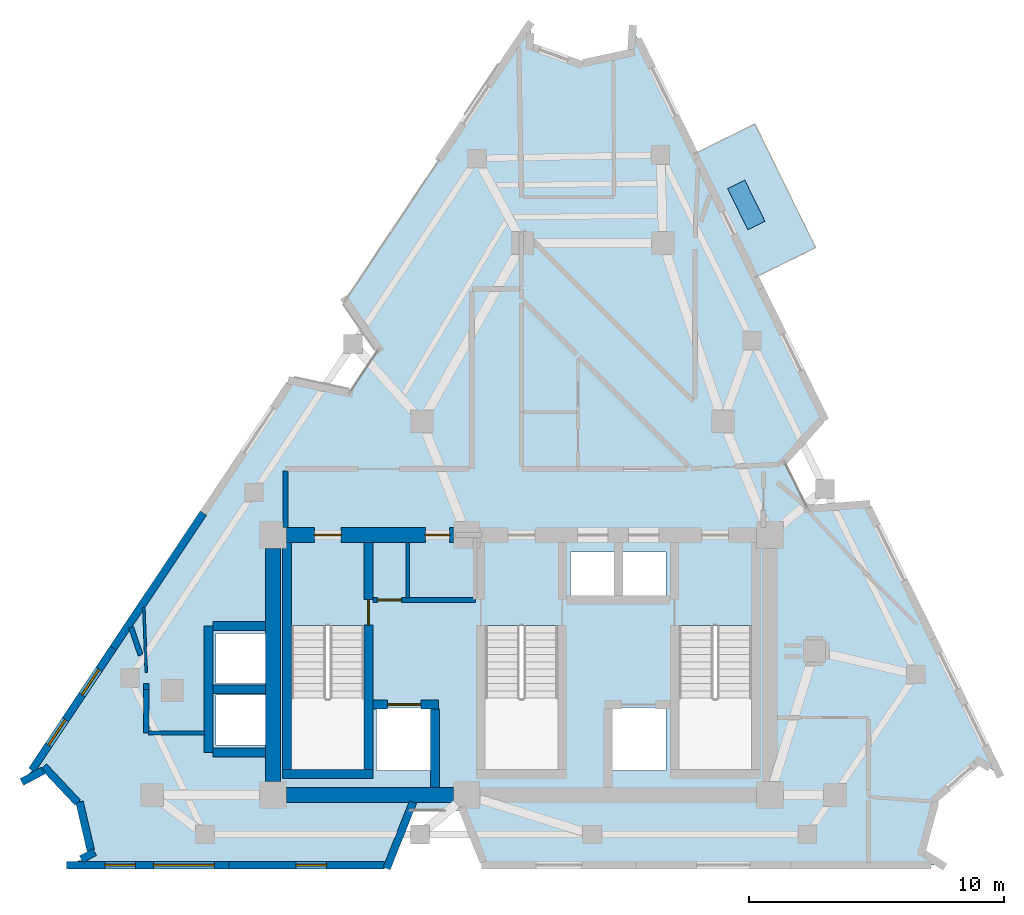
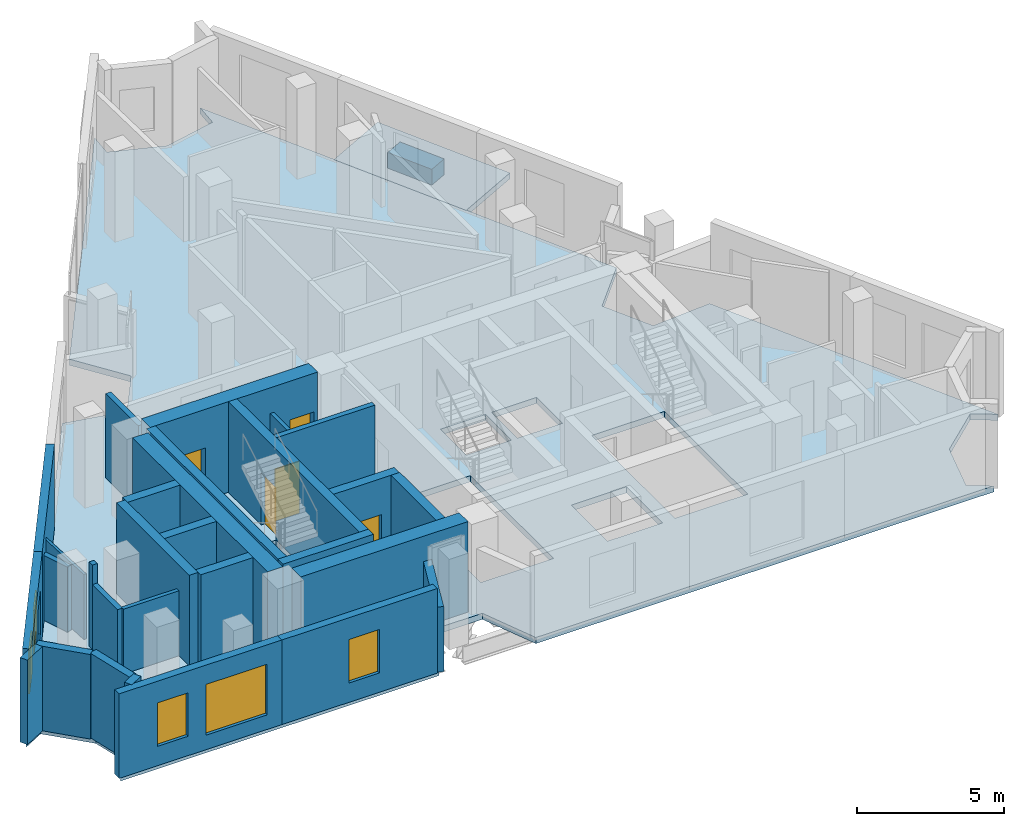
# One storey, part 4 of 8: 29 walls, 5 doors, 5 windows, 2 slabs, 1 plate, 10 openings.
"""IFC4 building model written with IfcOpenShell, lengths in metres."""

from ifc_helpers import new_model, si_unit, direction, frame, frame_2d, origin, origin_2d, place, context, subcontext, project, spatial, polyline, rectangle, outline, extrude, material, layer, layer_set, type_object, element, fill, save


model = new_model("IFC4")

# Units and contexts
model_context = context("Model", 3, precision=1e-05, world=origin(), true_north=direction((0.0, 1.0)))
body_context = subcontext(model_context, "Body", "Model", "MODEL_VIEW")
ifc_project = project(units=[si_unit("LENGTHUNIT", "METRE"), si_unit("AREAUNIT", "SQUARE_METRE"), si_unit("VOLUMEUNIT", "CUBIC_METRE"), si_unit("PLANEANGLEUNIT", "RADIAN"), si_unit("MASSUNIT", "GRAM", prefix="KILO")], contexts=[model_context])

# Site, building, storey
site_placement = place(None, origin())
site = spatial("IfcSite", under=ifc_project, at=site_placement, CompositionType="ELEMENT")
building_placement = place(site_placement, origin())
building = spatial("IfcBuilding", under=site, at=building_placement, Name="Almagre Mirador Tower", CompositionType="ELEMENT")
storey_placement = place(building_placement, frame((0.0, 0.0, 274.5)))
storey = spatial("IfcBuildingStorey", under=building, at=storey_placement, Name="L71", CompositionType="ELEMENT", Elevation=274.5)

# Plate
ifc_material_1 = material(Name="Precast concrete C50/60", Category="concrete")
ifc_layer_1 = layer(ifc_material_1, 0.64990234375)
ifc_layer_set_1 = layer_set([ifc_layer_1], Name="Precast concrete C50/60")
plate_type = type_object("IfcPlateType", Name="PLT-PLANTER-1800", PredefinedType="USERDEFINED", material=ifc_layer_set_1)
plate_placement = place(storey_placement, frame((46.1220703125, 27.698974609375, 0.0), z_axis=(0.0, 0.0, 1.0), x_axis=(-0.441286598035, 0.897366223119, 0.0)))
element("IfcPlate", 1, at=plate_placement, inside=storey, type_object=plate_type, Name="L71 east balcony structural tree planter 1", ObjectType="PLANTER", PredefinedType="USERDEFINED", context=body_context, shape_type="SweptSolid", body=[
    extrude(rectangle(XDim=1.800048828125, YDim=0.75, at=origin_2d()), origin(), (0.0, 0.0, 1.0), 0.64990234375),
])

# Slabs
ifc_material_2 = material(Name="Concrete C45/55", Category="concrete")
ifc_layer_2 = layer(ifc_material_2, 0.239990234375)
ifc_layer_set_2 = layer_set([ifc_layer_2], Name="Concrete C45/55")
slab_type_1 = type_object("IfcSlabType", Name="SLB-BAL-240", PredefinedType="USERDEFINED", material=ifc_layer_set_2)
slab_1_placement = place(storey_placement, frame((0.0, 0.0, -0.239990234375)))
element("IfcSlab", 2, at=slab_1_placement, inside=storey, type_object=slab_type_1, Name="L71 east planted tree balcony 1", ObjectType="BALCONY", PredefinedType="USERDEFINED", context=body_context, shape_type="SweptSolid", body=[
    extrude(outline(polyline([(46.443115234375, 24.847900390625), (44.06103515625, 29.694091796875), (46.45703125, 30.8720703125), (48.839111328125, 26.027099609375), (46.443115234375, 24.847900390625)])), origin(), (0.0, 0.0, 1.0), 0.239990234375),
])
ifc_material_3 = material(Name="Concrete C45/55", Category="concrete")
ifc_layer_3 = layer(ifc_material_3, 0.25)
ifc_layer_set_3 = layer_set([ifc_layer_3], Name="Concrete C45/55")
slab_type_2 = type_object("IfcSlabType", Name="SLB-FLR-250", PredefinedType="FLOOR", material=ifc_layer_set_3)
slab_2_placement = place(storey_placement, frame((0.0, 0.0, -0.25)))
element("IfcSlab", 3, at=slab_2_placement, inside=storey, type_object=slab_type_2, Name="L71 structural floor slab", PredefinedType="FLOOR", context=body_context, shape_type="SweptSolid", body=[
    extrude(outline(polyline([(17.821044921875, 5.126953125), (18.654052734375, 5.572021484375), (19.990966796875, 4.14794921875), (20.43310546875, 2.24609375), (19.60009765625, 1.800048828125), (32.06396484375, 1.800048828125), (32.9189453125, 3.949951171875), (35.009033203125, 3.949951171875), (35.864013671875, 1.800048828125), (53.800048828125, 1.800048828125), (52.998046875, 2.299072265625), (53.572021484375, 4.431884765625), (55.23291015625, 5.888916015625), (56.034912109375, 5.388916015625), (50.837890625, 15.95703125), (48.531005859375, 15.77587890625), (47.60888671875, 17.65087890625), (49.160888671875, 19.366943359375), (41.6650390625, 34.611083984375), (41.60302734375, 33.66796875), (39.572998046875, 33.23095703125), (37.616943359375, 33.929931640625), (37.678955078125, 34.873046875), (30.39404296875, 23.9599609375), (31.70703125, 22.054931640625), (30.547119140625, 20.31689453125), (28.283935546875, 20.799072265625), (17.821044921875, 5.126953125)]), holes=[polyline([(43.47509765625, 5.550048828125), (43.47509765625, 11.196044921875), (46.324951171875, 11.196044921875), (46.324951171875, 5.550048828125), (43.47509765625, 5.550048828125)]), polyline([(41.219970703125, 12.320068359375), (41.219970703125, 14.080078125), (42.97998046875, 14.080078125), (42.97998046875, 12.320068359375), (41.219970703125, 12.320068359375)]), polyline([(42.97998046875, 5.52001953125), (40.820068359375, 5.52001953125), (40.820068359375, 7.97998046875), (42.97998046875, 7.97998046875), (42.97998046875, 5.52001953125)]), polyline([(39.219970703125, 12.320068359375), (39.219970703125, 14.080078125), (40.97998046875, 14.080078125), (40.97998046875, 12.320068359375), (39.219970703125, 12.320068359375)]), polyline([(35.875, 5.550048828125), (35.875, 11.196044921875), (38.72509765625, 11.196044921875), (38.72509765625, 5.550048828125), (35.875, 5.550048828125)]), polyline([(33.780029296875, 5.52001953125), (31.6201171875, 5.52001953125), (31.6201171875, 7.97998046875), (33.780029296875, 7.97998046875), (33.780029296875, 5.52001953125)]), polyline([(28.27490234375, 5.550048828125), (28.27490234375, 11.196044921875), (31.125, 11.196044921875), (31.125, 5.550048828125), (28.27490234375, 5.550048828125)]), polyline([(27.3798828125, 6.52001953125), (25.320068359375, 6.52001953125), (25.320068359375, 8.47998046875), (27.3798828125, 8.47998046875), (27.3798828125, 6.52001953125)]), polyline([(27.3798828125, 8.919921875), (25.320068359375, 8.919921875), (25.320068359375, 10.8798828125), (27.3798828125, 10.8798828125), (27.3798828125, 8.919921875)])]), origin(), (0.0, 0.0, 1.0), 0.25),
])

# Wall
ifc_material_4 = material(Name="Precast concrete C50/60", Category="concrete")
ifc_layer_4 = layer(ifc_material_4, 0.300048828125)
ifc_layer_set_4 = layer_set([ifc_layer_4], Name="Precast concrete C50/60")
wall_type_1 = type_object("IfcWallType", Name="WAL-EXT-300", PredefinedType="SOLIDWALL", material=ifc_layer_set_4)
wall_1_placement = place(storey_placement, frame((33.047607421875, 4.2734375, 0.0), z_axis=(0.0, 0.0, 1.0), x_axis=(-0.369542065233, -0.929214002275, 0.0)))
element("IfcWall", 4, at=wall_1_placement, inside=storey, type_object=wall_type_1, Name="L71 expressed almagre precast frame wall 23", PredefinedType="SOLIDWALL", context=body_context, shape_type="SweptSolid", body=[
    extrude(rectangle(XDim=2.8017578125, YDim=0.300048828125, at=frame_2d((1.40087890625, 0.0))), origin(), (0.0, 0.0, 1.0), 2.696044921875),
])

# Wall, opening, window
wall_2_placement = place(storey_placement, frame((31.924072265625, 1.800048828125, 0.0), z_axis=(0.0, 0.0, 1.0), x_axis=(-1.0, 0.0, 0.0)))
wall_2 = element("IfcWall", 5, at=wall_2_placement, inside=storey, type_object=wall_type_1, Name="L71 expressed almagre precast frame wall 24", PredefinedType="SOLIDWALL", context=body_context, shape_type="SweptSolid", body=[
    extrude(rectangle(XDim=6.092041015625, YDim=0.300048828125, at=frame_2d((3.0458984375, 0.0))), origin(), (0.0, 0.0, 1.0), 3.5),
])
opening_1_placement = place(wall_2_placement, frame((2.27001953125, 0.0, 0.800048828125)))
opening_1 = element("IfcOpeningElement", 6, at=opening_1_placement, cuts=wall_2, Name="Opening WN-04", PredefinedType="OPENING", context=body_context, shape_type="SweptSolid", body=[
    extrude(rectangle(XDim=1.199951171875, YDim=1.800048828125, at=frame_2d((0.60009765625, 0.89990234375))), frame((0.0, 0.159902, 0.0), z_axis=(0.0, -1.0, 0.0), x_axis=(1.0, 0.0, 0.0)), (0.0, 0.0, 1.0), 0.320049),
])
ifc_material_5 = material(Name="Dark solar-control laminated hurricane glass", Category="glass")
window_type_1 = type_object("IfcWindowType", Name="WIN-1200X1800", PartitioningType="SINGLE_PANEL", PredefinedType="WINDOW", material=ifc_material_5)
window_1_placement = place(opening_1_placement, origin())
window_1 = element("IfcWindow", 7, at=window_1_placement, inside=storey, type_object=window_type_1, Name="L71 recessed hurricane window L71-UB-ST", OverallHeight=1.800048828125, OverallWidth=1.199951171875, PartitioningType="SINGLE_PANEL", PredefinedType="WINDOW", context=body_context, shape_type="SweptSolid", body=[
    extrude(rectangle(XDim=1.199951171875, YDim=1.800048828125, at=frame_2d((0.60009765625, 0.89990234375))), frame((0.0, 0.030029296875, 0.0), z_axis=(0.0, -1.0, 0.0), x_axis=(1.0, 0.0, 0.0)), (0.0, 0.0, 1.0), 0.06005859375),
])
fill(opening_1, window_1)

# Wall, openings, windows
wall_3_placement = place(storey_placement, frame((25.83203125, 1.800048828125, 0.0), z_axis=(0.0, 0.0, 1.0), x_axis=(-1.0, 0.0, 0.0)))
wall_3 = element("IfcWall", 8, at=wall_3_placement, inside=storey, type_object=wall_type_1, Name="L71 expressed almagre precast frame wall 25", PredefinedType="SOLIDWALL", context=body_context, shape_type="SweptSolid", body=[
    extrude(rectangle(XDim=6.3720703125, YDim=0.300048828125, at=frame_2d((3.18603515625, 0.0))), origin(), (0.0, 0.0, 1.0), 3.5),
])
opening_2_placement = place(wall_3_placement, frame((3.675048828125, 0.0, 0.800048828125)))
opening_2 = element("IfcOpeningElement", 9, at=opening_2_placement, cuts=wall_3, Name="Opening WN-04", PredefinedType="OPENING", context=body_context, shape_type="SweptSolid", body=[
    extrude(rectangle(XDim=1.199951171875, YDim=1.800048828125, at=frame_2d((0.60009765625, 0.89990234375))), frame((0.0, 0.159902, 0.0), z_axis=(0.0, -1.0, 0.0), x_axis=(1.0, 0.0, 0.0)), (0.0, 0.0, 1.0), 0.320049),
])
opening_3_placement = place(wall_3_placement, frame((0.574951171875, 0.0, 0.60009765625)))
opening_3 = element("IfcOpeningElement", 10, at=opening_3_placement, cuts=wall_3, Name="Opening WN-02", PredefinedType="OPENING", context=body_context, shape_type="SweptSolid", body=[
    extrude(rectangle(XDim=2.39990234375, YDim=2.10009765625, at=frame_2d((1.199951171875, 1.050048828125))), frame((0.0, 0.159902, 0.0), z_axis=(0.0, -1.0, 0.0), x_axis=(1.0, 0.0, 0.0)), (0.0, 0.0, 1.0), 0.320049),
])
window_2_placement = place(opening_2_placement, origin())
window_2 = element("IfcWindow", 11, at=window_2_placement, inside=storey, type_object=window_type_1, Name="L71 recessed hurricane window L71-UA-KT", OverallHeight=1.800048828125, OverallWidth=1.199951171875, PartitioningType="SINGLE_PANEL", PredefinedType="WINDOW", context=body_context, shape_type="SweptSolid", body=[
    extrude(rectangle(XDim=1.199951171875, YDim=1.800048828125, at=frame_2d((0.60009765625, 0.89990234375))), frame((0.0, 0.030029296875, 0.0), z_axis=(0.0, -1.0, 0.0), x_axis=(1.0, 0.0, 0.0)), (0.0, 0.0, 1.0), 0.06005859375),
])
fill(opening_2, window_2)
ifc_material_6 = material(Name="Dark solar-control laminated hurricane glass", Category="glass")
window_type_2 = type_object("IfcWindowType", Name="WIN-2400X2100", PartitioningType="TRIPLE_PANEL_VERTICAL", PredefinedType="WINDOW", material=ifc_material_6)
window_3_placement = place(opening_3_placement, origin())
window_3 = element("IfcWindow", 12, at=window_3_placement, inside=storey, type_object=window_type_2, Name="L71 recessed hurricane window L71-UB-ST", OverallHeight=2.10009765625, OverallWidth=2.39990234375, PartitioningType="SINGLE_PANEL", PredefinedType="WINDOW", context=body_context, shape_type="SweptSolid", body=[
    extrude(rectangle(XDim=2.39990234375, YDim=2.10009765625, at=frame_2d((1.199951171875, 1.050048828125))), frame((0.0, 0.030029296875, 0.0), z_axis=(0.0, -1.0, 0.0), x_axis=(1.0, 0.0, 0.0)), (0.0, 0.0, 1.0), 0.06005859375),
])
fill(opening_3, window_3)

# Walls
wall_4_placement = place(storey_placement, frame((20.031982421875, 2.03125, 0.0), z_axis=(0.0, 0.0, 1.0), x_axis=(0.881601971089, 0.471993606495, 0.0)))
element("IfcWall", 13, at=wall_4_placement, inside=storey, type_object=wall_type_1, Name="L71 expressed almagre precast frame wall 26", PredefinedType="SOLIDWALL", context=body_context, shape_type="SweptSolid", body=[
    extrude(rectangle(XDim=0.5947265625, YDim=0.300048828125, at=frame_2d((0.29736328125, 0.0))), origin(), (0.0, 0.0, 1.0), 3.5),
])
wall_5_placement = place(storey_placement, frame((20.403564453125, 2.37255859375, 0.0), z_axis=(0.0, 0.0, 1.0), x_axis=(-0.226376282289, 0.974039926706, 0.0)))
element("IfcWall", 14, at=wall_5_placement, inside=storey, type_object=wall_type_1, Name="L71 expressed almagre precast frame wall 27", PredefinedType="SOLIDWALL", context=body_context, shape_type="SweptSolid", body=[
    extrude(rectangle(XDim=1.962890625, YDim=0.300048828125, at=frame_2d((0.9814453125, 0.0))), origin(), (0.0, 0.0, 1.0), 3.5),
])
wall_6_placement = place(storey_placement, frame((19.88818359375, 4.25732421875, 0.0), z_axis=(0.0, 0.0, 1.0), x_axis=(-0.684454988333, 0.72905512065, 0.0)))
element("IfcWall", 15, at=wall_6_placement, inside=storey, type_object=wall_type_1, Name="L71 expressed almagre precast frame wall 28", PredefinedType="SOLIDWALL", context=body_context, shape_type="SweptSolid", body=[
    extrude(rectangle(XDim=1.943359375, YDim=0.300048828125, at=frame_2d((0.9716796875, 0.0))), origin(), (0.0, 0.0, 1.0), 3.5),
])
wall_7_placement = place(storey_placement, frame((18.543701171875, 5.51318359375, 0.0), z_axis=(0.0, 0.0, 1.0), x_axis=(-0.881986380724, -0.471274892412, 0.0)))
element("IfcWall", 16, at=wall_7_placement, inside=storey, type_object=wall_type_1, Name="L71 expressed almagre precast frame wall 29", PredefinedType="SOLIDWALL", context=body_context, shape_type="SweptSolid", body=[
    extrude(rectangle(XDim=0.95947265625, YDim=0.300048828125, at=frame_2d((0.479736328125, 0.0))), origin(), (0.0, 0.0, 1.0), 3.5),
])

# Wall, openings, windows
wall_8_placement = place(storey_placement, frame((18.087646484375, 5.526123046875, 0.0), z_axis=(0.0, 0.0, 1.0), x_axis=(0.555218981554, 0.831704203742, 0.0)))
wall_8 = element("IfcWall", 17, at=wall_8_placement, inside=storey, type_object=wall_type_1, Name="L71 expressed almagre precast frame wall 30", PredefinedType="SOLIDWALL", context=body_context, shape_type="SweptSolid", body=[
    extrude(rectangle(XDim=5.754638671875, YDim=0.300048828125, at=frame_2d((2.87744140625, 0.0))), origin(), (0.0, 0.0, 1.0), 3.5),
])
opening_4_placement = place(wall_8_placement, frame((3.554931640625, 0.0, 0.800048828125)))
opening_4 = element("IfcOpeningElement", 18, at=opening_4_placement, cuts=wall_8, Name="Opening WN-04", PredefinedType="OPENING", context=body_context, shape_type="SweptSolid", body=[
    extrude(rectangle(XDim=1.199951171875, YDim=1.800048828125, at=frame_2d((0.60009765625, 0.89990234375))), frame((0.0, 0.159902, 0.0), z_axis=(0.0, -1.0, 0.0), x_axis=(1.0, 0.0, 0.0)), (0.0, 0.0, 1.0), 0.320049),
])
opening_5_placement = place(wall_8_placement, frame((1.179931640625, 0.0, 0.800048828125)))
opening_5 = element("IfcOpeningElement", 19, at=opening_5_placement, cuts=wall_8, Name="Opening WN-04", PredefinedType="OPENING", context=body_context, shape_type="SweptSolid", body=[
    extrude(rectangle(XDim=1.199951171875, YDim=1.800048828125, at=frame_2d((0.60009765625, 0.89990234375))), frame((0.0, 0.159902, 0.0), z_axis=(0.0, -1.0, 0.0), x_axis=(1.0, 0.0, 0.0)), (0.0, 0.0, 1.0), 0.320049),
])
window_4_placement = place(opening_4_placement, origin())
window_4 = element("IfcWindow", 20, at=window_4_placement, inside=storey, type_object=window_type_1, Name="L71 recessed hurricane window L71-UA-ST", OverallHeight=1.800048828125, OverallWidth=1.199951171875, PartitioningType="SINGLE_PANEL", PredefinedType="WINDOW", context=body_context, shape_type="SweptSolid", body=[
    extrude(rectangle(XDim=1.199951171875, YDim=1.800048828125, at=frame_2d((0.60009765625, 0.89990234375))), frame((0.0, 0.030029296875, 0.0), z_axis=(0.0, -1.0, 0.0), x_axis=(1.0, 0.0, 0.0)), (0.0, 0.0, 1.0), 0.06005859375),
])
fill(opening_4, window_4)
window_5_placement = place(opening_5_placement, origin())
window_5 = element("IfcWindow", 21, at=window_5_placement, inside=storey, type_object=window_type_1, Name="L71 recessed hurricane window L71-UA-BT", OverallHeight=1.800048828125, OverallWidth=1.199951171875, PartitioningType="SINGLE_PANEL", PredefinedType="WINDOW", context=body_context, shape_type="SweptSolid", body=[
    extrude(rectangle(XDim=1.199951171875, YDim=1.800048828125, at=frame_2d((0.60009765625, 0.89990234375))), frame((0.0, 0.030029296875, 0.0), z_axis=(0.0, -1.0, 0.0), x_axis=(1.0, 0.0, 0.0)), (0.0, 0.0, 1.0), 0.06005859375),
])
fill(opening_5, window_5)

# Walls
wall_9_placement = place(storey_placement, frame((21.28271484375, 10.312255859375, 0.0), z_axis=(0.0, 0.0, 1.0), x_axis=(0.555265721759, 0.831672999586, 0.0)))
element("IfcWall", 22, at=wall_9_placement, inside=storey, type_object=wall_type_1, Name="L71 expressed almagre precast frame wall 31", PredefinedType="SOLIDWALL", context=body_context, shape_type="SweptSolid", body=[
    extrude(rectangle(XDim=6.37451171875, YDim=0.300048828125, at=frame_2d((3.187255859375, 0.0))), origin(), (0.0, 0.0, 1.0), 3.5),
])
ifc_material_7 = material(Name="Gypsum acoustic stud partition", Category="other")
ifc_layer_5 = layer(ifc_material_7, 0.10009765625)
ifc_layer_set_5 = layer_set([ifc_layer_5], Name="Gypsum acoustic stud partition")
wall_type_2 = type_object("IfcWallType", Name="WAL-PRT-100-CLS", PredefinedType="PARTITIONING", material=ifc_layer_set_5)
wall_10_placement = place(storey_placement, frame((22.580078125, 9.360107421875, 0.0), z_axis=(0.0, 0.0, 1.0), x_axis=(-0.036937142138, 0.999317590924, 0.0)))
element("IfcWall", 23, at=wall_10_placement, inside=storey, type_object=wall_type_2, Name="L71 interior partition 059", PredefinedType="PARTITIONING", context=body_context, shape_type="SweptSolid", body=[
    extrude(rectangle(XDim=2.544677734375, YDim=0.10009765625, at=frame_2d((1.2724609375, 0.0))), origin(), (0.0, 0.0, 1.0), 2.69091796875),
])
ifc_material_8 = material(Name="Gypsum acoustic stud partition", Category="other")
ifc_layer_6 = layer(ifc_material_8, 0.14990234375)
ifc_layer_set_6 = layer_set([ifc_layer_6], Name="Gypsum acoustic stud partition")
wall_type_3 = type_object("IfcWallType", Name="WAL-PRT-150-STD", PredefinedType="PARTITIONING", material=ifc_layer_set_6)
wall_11_placement = place(storey_placement, frame((24.864990234375, 6.989990234375, 0.0), z_axis=(0.0, 0.0, 1.0), x_axis=(-1.0, 0.0, 0.0)))
element("IfcWall", 24, at=wall_11_placement, inside=storey, type_object=wall_type_3, Name="L71 interior partition 023", PredefinedType="PARTITIONING", context=body_context, shape_type="SweptSolid", body=[
    extrude(rectangle(XDim=2.199951171875, YDim=0.14990234375, at=frame_2d((1.10009765625, 0.0))), origin(), (0.0, 0.0, 1.0), 2.69091796875),
])

# Wall, opening, door
ifc_material_9 = material(Name="Gypsum acoustic stud partition", Category="other")
ifc_layer_7 = layer(ifc_material_9, 0.199951171875)
ifc_layer_set_7 = layer_set([ifc_layer_7], Name="Gypsum acoustic stud partition")
wall_type_4 = type_object("IfcWallType", Name="WAL-PRT-200-EI60", PredefinedType="PARTITIONING", material=ifc_layer_set_7)
wall_12_placement = place(storey_placement, frame((31.47998046875, 12.199951171875, 0.0), z_axis=(0.0, 0.0, 1.0), x_axis=(1.0, 0.0, 0.0)))
wall_12 = element("IfcWall", 25, at=wall_12_placement, inside=storey, type_object=wall_type_4, Name="L71 FFL-1 north enclosure wall", PredefinedType="PARTITIONING", context=body_context, shape_type="SweptSolid", body=[
    extrude(rectangle(XDim=4.024658203125, YDim=0.199951171875, at=frame_2d((2.01220703125, 0.0))), origin(), (0.0, 0.0, 1.0), 3.5),
])
opening_6_placement = place(wall_12_placement, frame((0.1650390625, 0.0, 0.0)))
opening_6 = element("IfcOpeningElement", 26, at=opening_6_placement, cuts=wall_12, Name="Opening ID-02", PredefinedType="OPENING", context=body_context, shape_type="SweptSolid", body=[
    extrude(rectangle(XDim=0.949951171875, YDim=2.14990234375, at=frame_2d((0.47509765625, 1.074951171875))), frame((0.0, 0.110098, 0.0), z_axis=(0.0, -1.0, 0.0), x_axis=(1.0, 0.0, 0.0)), (0.0, 0.0, 1.0), 0.219951),
])
ifc_material_10 = material(Name="Fire-rated walnut timber", Category="wood")
door_type_1 = type_object("IfcDoorType", Name="DOR-FD60-950X2150", OperationType="NOTDEFINED", PredefinedType="DOOR", material=ifc_material_10)
door_1_placement = place(opening_6_placement, origin())
door_1 = element("IfcDoor", 27, at=door_1_placement, inside=storey, type_object=door_type_1, Name="DR-2146 L71 FFL-1 north smoke door", OperationType="SINGLE_SWING_RIGHT", OverallHeight=2.14990234375, OverallWidth=0.949951171875, PredefinedType="DOOR", context=body_context, shape_type="SweptSolid", body=[
    extrude(rectangle(XDim=0.949951171875, YDim=2.14990234375, at=frame_2d((0.47509765625, 1.074951171875))), frame((0.0, 0.02490234375, 0.0), z_axis=(0.0, -1.0, 0.0), x_axis=(1.0, 0.0, 0.0)), (0.0, 0.0, 1.0), 0.050048828125),
])
fill(opening_6, door_1)

# Walls
wall_13_placement = place(storey_placement, frame((32.840087890625, 12.284912109375, 0.0), z_axis=(0.0, 0.0, 1.0), x_axis=(0.0, 1.0, 0.0)))
element("IfcWall", 28, at=wall_13_placement, inside=storey, type_object=wall_type_4, Name="L71 core riser west wall", PredefinedType="PARTITIONING", context=body_context, shape_type="SweptSolid", body=[
    extrude(rectangle(XDim=2.18017578125, YDim=0.14990234375, at=frame_2d((1.090087890625, 0.0))), origin(), (0.0, 0.0, 1.0), 2.68505859375),
])
wall_14_placement = place(storey_placement, frame((22.580078125, 6.989990234375, 0.0), z_axis=(0.0, 0.0, 1.0), x_axis=(0.0, 1.0, 0.0)))
element("IfcWall", 29, at=wall_14_placement, inside=storey, type_object=wall_type_4, Name="L71 interior partition 017", PredefinedType="PARTITIONING", context=body_context, shape_type="SweptSolid", body=[
    extrude(rectangle(XDim=1.7099609375, YDim=0.199951171875, at=frame_2d((0.85498046875, 0.0))), origin(), (0.0, 0.0, 1.0), 2.69091796875),
])
wall_15_placement = place(storey_placement, frame((22.580078125, 8.699951171875, 0.0), z_axis=(0.0, 0.0, 1.0), x_axis=(0.0, 1.0, 0.0)))
element("IfcWall", 30, at=wall_15_placement, inside=storey, type_object=wall_type_4, Name="L71 interior partition 018", PredefinedType="PARTITIONING", context=body_context, shape_type="SweptSolid", body=[
    extrude(rectangle(XDim=0.219970703125, YDim=0.199951171875, at=frame_2d((0.10986328125, 0.0))), origin(), (0.0, 0.0, 1.0), 3.5),
])
wall_16_placement = place(storey_placement, frame((22.3583984375, 10.0380859375, 0.0), z_axis=(0.0, 0.0, 1.0), x_axis=(-0.323018927743, 0.946392504366, 0.0)))
element("IfcWall", 31, at=wall_16_placement, inside=storey, type_object=wall_type_4, Name="L71 interior partition 019", PredefinedType="PARTITIONING", context=body_context, shape_type="SweptSolid", body=[
    extrude(rectangle(XDim=1.152587890625, YDim=0.199951171875, at=frame_2d((0.576171875, 0.0))), origin(), (0.0, 0.0, 1.0), 2.69091796875),
])
wall_17_placement = place(storey_placement, frame((28.050048828125, 17.260009765625, 0.0), z_axis=(0.0, 0.0, 1.0), x_axis=(0.0, -1.0, 0.0)))
element("IfcWall", 32, at=wall_17_placement, inside=storey, type_object=wall_type_4, Name="L71 interior partition 055", PredefinedType="PARTITIONING", context=body_context, shape_type="SweptSolid", body=[
    extrude(rectangle(XDim=2.2099609375, YDim=0.199951171875, at=frame_2d((1.10498046875, 0.0))), origin(), (0.0, 0.0, 1.0), 3.5),
])
ifc_material_11 = material(Name="Concrete C60/75", Category="concrete")
ifc_layer_8 = layer(ifc_material_11, 0.35009765625)
ifc_layer_set_8 = layer_set([ifc_layer_8], Name="Concrete C60/75")
wall_type_5 = type_object("IfcWallType", Name="WAL-SHF-350", PredefinedType="SOLIDWALL", material=ifc_layer_set_8)
wall_18_placement = place(storey_placement, frame((28.10009765625, 5.199951171875, 0.0), z_axis=(0.0, 0.0, 1.0), x_axis=(0.0, 1.0, 0.0)))
element("IfcWall", 33, at=wall_18_placement, inside=storey, type_object=wall_type_5, Name="L71 shaft wall ST1-W", PredefinedType="SOLIDWALL", context=body_context, shape_type="SweptSolid", body=[
    extrude(rectangle(XDim=9.25, YDim=0.35009765625, at=frame_2d((4.625, 0.0))), origin(), (0.0, 0.0, 1.0), 3.75),
])

# Wall, opening, door
wall_19_placement = place(storey_placement, frame((31.300048828125, 5.199951171875, 0.0), z_axis=(0.0, 0.0, 1.0), x_axis=(0.0, 1.0, 0.0)))
wall_19 = element("IfcWall", 34, at=wall_19_placement, inside=storey, type_object=wall_type_5, Name="L71 shaft wall ST1-E", PredefinedType="SOLIDWALL", context=body_context, shape_type="SweptSolid", body=[
    extrude(rectangle(XDim=9.25, YDim=0.35009765625, at=frame_2d((4.625, 0.0))), origin(), (0.0, 0.0, 1.0), 3.75),
])
opening_7_placement = place(wall_19_placement, frame((6.02001953125, 0.0, 0.0)))
opening_7 = element("IfcOpeningElement", 35, at=opening_7_placement, cuts=wall_19, Name="Opening FD-01", PredefinedType="OPENING", context=body_context, shape_type="SweptSolid", body=[
    extrude(rectangle(XDim=1.0, YDim=2.14990234375, at=frame_2d((0.5, 1.074951171875))), frame((0.0, 0.185049, 0.0), z_axis=(0.0, -1.0, 0.0), x_axis=(1.0, 0.0, 0.0)), (0.0, 0.0, 1.0), 0.370098),
])
ifc_material_12 = material(Name="Fire-rated hollow steel", Category="steel")
door_type_2 = type_object("IfcDoorType", Name="DOR-FFL-1000X2150", OperationType="NOTDEFINED", PredefinedType="DOOR", material=ifc_material_12)
door_2_placement = place(opening_7_placement, origin())
door_2 = element("IfcDoor", 36, at=door_2_placement, inside=storey, type_object=door_type_2, Name="DR-2147 L71 FFL1-ST1 smokeproof door", OperationType="SINGLE_SWING_RIGHT", OverallHeight=2.14990234375, OverallWidth=1.0, PredefinedType="DOOR", context=body_context, shape_type="SweptSolid", body=[
    extrude(rectangle(XDim=1.0, YDim=2.14990234375, at=frame_2d((0.5, 1.074951171875))), frame((0.0, 0.02490234375, 0.0), z_axis=(0.0, -1.0, 0.0), x_axis=(1.0, 0.0, 0.0)), (0.0, 0.0, 1.0), 0.050048828125),
])
fill(opening_7, door_2)

# Wall
wall_20_placement = place(storey_placement, frame((27.925048828125, 5.375, 0.0), z_axis=(0.0, 0.0, 1.0), x_axis=(1.0, 0.0, 0.0)))
element("IfcWall", 37, at=wall_20_placement, inside=storey, type_object=wall_type_5, Name="L71 shaft wall ST1-S", PredefinedType="SOLIDWALL", context=body_context, shape_type="SweptSolid", body=[
    extrude(rectangle(XDim=3.550048828125, YDim=0.35009765625, at=frame_2d((1.77490234375, 0.0))), origin(), (0.0, 0.0, 1.0), 3.75),
])

# Wall, opening, door
wall_21_placement = place(storey_placement, frame((31.47509765625, 8.10009765625, 0.0), z_axis=(0.0, 0.0, 1.0), x_axis=(1.0, 0.0, 0.0)))
wall_21 = element("IfcWall", 38, at=wall_21_placement, inside=storey, type_object=wall_type_5, Name="L71 shaft wall FSAE1-N", PredefinedType="SOLIDWALL", context=body_context, shape_type="SweptSolid", body=[
    extrude(rectangle(XDim=2.574951171875, YDim=0.35009765625, at=frame_2d((1.28759765625, 0.0))), origin(), (0.0, 0.0, 1.0), 3.75),
])
opening_8_placement = place(wall_21_placement, frame((0.574951171875, 0.0, 0.0)))
opening_8 = element("IfcOpeningElement", 39, at=opening_8_placement, cuts=wall_21, Name="Opening LD-03", PredefinedType="OPENING", context=body_context, shape_type="SweptSolid", body=[
    extrude(rectangle(XDim=1.300048828125, YDim=2.25, at=frame_2d((0.64990234375, 1.125))), frame((0.0, 0.185049, 0.0), z_axis=(0.0, -1.0, 0.0), x_axis=(1.0, 0.0, 0.0)), (0.0, 0.0, 1.0), 0.370098),
])
ifc_material_13 = material(Name="Hollow stainless steel", Category="steel")
door_type_3 = type_object("IfcDoorType", Name="DOR-LD-1300X2250", OperationType="DOUBLE_DOOR_SLIDING", PredefinedType="DOOR", material=ifc_material_13)
door_3_placement = place(opening_8_placement, origin())
door_3 = element("IfcDoor", 40, at=door_3_placement, inside=storey, type_object=door_type_3, Name="DR-2158 L71 FSAE-1 lift landing door", OperationType="DOUBLE_DOOR_SLIDING", OverallHeight=2.25, OverallWidth=1.300048828125, PredefinedType="DOOR", context=body_context, shape_type="SweptSolid", body=[
    extrude(rectangle(XDim=1.300048828125, YDim=2.25, at=frame_2d((0.64990234375, 1.125))), frame((0.0, 0.02490234375, 0.0), z_axis=(0.0, -1.0, 0.0), x_axis=(1.0, 0.0, 0.0)), (0.0, 0.0, 1.0), 0.050048828125),
])
fill(opening_8, door_3)

# Walls
wall_22_placement = place(storey_placement, frame((33.89990234375, 4.85009765625, 0.0), z_axis=(0.0, 0.0, 1.0), x_axis=(0.0, 1.0, 0.0)))
element("IfcWall", 41, at=wall_22_placement, inside=storey, type_object=wall_type_5, Name="L71 shaft wall FSAE1-E", PredefinedType="SOLIDWALL", context=body_context, shape_type="SweptSolid", body=[
    extrude(rectangle(XDim=3.074951171875, YDim=0.35009765625, at=frame_2d((1.53759765625, 0.0))), origin(), (0.0, 0.0, 1.0), 3.75),
])
wall_23_placement = place(storey_placement, frame((25.02490234375, 6.22509765625, 0.0), z_axis=(0.0, 0.0, 1.0), x_axis=(0.0, 1.0, 0.0)))
element("IfcWall", 42, at=wall_23_placement, inside=storey, type_object=wall_type_5, Name="L71 shaft wall OL-W", PredefinedType="SOLIDWALL", context=body_context, shape_type="SweptSolid", body=[
    extrude(rectangle(XDim=4.949951171875, YDim=0.35009765625, at=frame_2d((2.47509765625, 0.0))), origin(), (0.0, 0.0, 1.0), 3.75),
])
for number, where, z_axis, x_axis, name in (
    (43, (25.199951171875, 6.22509765625, 0.0), (0.0, 0.0, 1.0), (1.0, 0.0, 0.0), "L71 shaft wall OL-S"),
    (44, (25.199951171875, 8.699951171875, 0.0), (0.0, 0.0, 1.0), (1.0, 0.0, 0.0), "L71 shaft wall OL-M"),
    (45, (25.199951171875, 11.175048828125, 0.0), (0.0, 0.0, 1.0), (1.0, 0.0, 0.0), "L71 shaft wall OL-N"),
):
    element("IfcWall", number, at=place(storey_placement, frame(where, z_axis=z_axis, x_axis=x_axis)), inside=storey, type_object=wall_type_5, Name=name, PredefinedType="SOLIDWALL", context=body_context, shape_type="SweptSolid", body=[
        extrude(rectangle(XDim=2.050048828125, YDim=0.35009765625, at=frame_2d((1.02490234375, 0.0))), origin(), (0.0, 0.0, 1.0), 3.75),
    ])
ifc_material_14 = material(Name="Concrete C60/75", Category="concrete")
ifc_layer_9 = layer(ifc_material_14, 0.60009765625)
ifc_layer_set_9 = layer_set([ifc_layer_9], Name="Concrete C60/75")
wall_type_6 = type_object("IfcWallType", Name="WAL-SHR-600", PredefinedType="SHEAR", material=ifc_layer_set_9)
wall_24_placement = place(storey_placement, frame((28.074951171875, 4.550048828125, 0.0), z_axis=(0.0, 0.0, 1.0), x_axis=(1.0, 0.0, 0.0)))
element("IfcWall", 46, at=wall_24_placement, inside=storey, type_object=wall_type_6, Name="L71 core shear wall S1", PredefinedType="SHEAR", context=body_context, shape_type="SweptSolid", body=[
    extrude(rectangle(XDim=6.550048828125, YDim=0.60009765625, at=frame_2d((3.27490234375, 0.0))), origin(), (0.0, 0.0, 1.0), 3.75),
])

# Wall, openings, doors
wall_25_placement = place(storey_placement, frame((28.074951171875, 14.75, 0.0), z_axis=(0.0, 0.0, 1.0), x_axis=(1.0, 0.0, 0.0)))
wall_25 = element("IfcWall", 47, at=wall_25_placement, inside=storey, type_object=wall_type_6, Name="L71 core shear wall N1", PredefinedType="SHEAR", context=body_context, shape_type="SweptSolid", body=[
    extrude(rectangle(XDim=6.550048828125, YDim=0.60009765625, at=frame_2d((3.27490234375, 0.0))), origin(), (0.0, 0.0, 1.0), 3.75),
])
opening_9_placement = place(wall_25_placement, frame((1.10009765625, 0.0, 0.0)))
opening_9 = element("IfcOpeningElement", 48, at=opening_9_placement, cuts=wall_25, Name="Opening SD-01", PredefinedType="OPENING", context=body_context, shape_type="SweptSolid", body=[
    extrude(rectangle(XDim=1.050048828125, YDim=2.14990234375, at=frame_2d((0.52490234375, 1.074951171875))), frame((0.0, 0.310049, 0.0), z_axis=(0.0, -1.0, 0.0), x_axis=(1.0, 0.0, 0.0)), (0.0, 0.0, 1.0), 0.620098),
])
opening_10_placement = place(wall_25_placement, frame((5.4599609375, 0.0, 0.0)))
opening_10 = element("IfcOpeningElement", 49, at=opening_10_placement, cuts=wall_25, Name="Opening FD-02", PredefinedType="OPENING", context=body_context, shape_type="SweptSolid", body=[
    extrude(rectangle(XDim=0.949951171875, YDim=2.14990234375, at=frame_2d((0.47509765625, 1.074951171875))), frame((0.0, 0.310049, 0.0), z_axis=(0.0, -1.0, 0.0), x_axis=(1.0, 0.0, 0.0)), (0.0, 0.0, 1.0), 0.620098),
])
ifc_material_15 = material(Name="Fire-rated hollow steel", Category="steel")
door_type_4 = type_object("IfcDoorType", Name="DOR-FD90-950X2150", OperationType="NOTDEFINED", PredefinedType="DOOR", material=ifc_material_15)
door_4_placement = place(opening_10_placement, origin())
door_4 = element("IfcDoor", 50, at=door_4_placement, inside=storey, type_object=door_type_4, Name="DR-2145 L71 core equipment room north door", OperationType="SINGLE_SWING_LEFT", OverallHeight=2.14990234375, OverallWidth=0.949951171875, PredefinedType="DOOR", context=body_context, shape_type="SweptSolid", body=[
    extrude(rectangle(XDim=0.949951171875, YDim=2.14990234375, at=frame_2d((0.47509765625, 1.074951171875))), frame((0.0, 0.02490234375, 0.0), z_axis=(0.0, -1.0, 0.0), x_axis=(1.0, 0.0, 0.0)), (0.0, 0.0, 1.0), 0.050048828125),
])
fill(opening_10, door_4)
ifc_material_16 = material(Name="Fire-rated hollow steel", Category="steel")
door_type_5 = type_object("IfcDoorType", Name="DOR-ST-1050X2150", OperationType="NOTDEFINED", PredefinedType="DOOR", material=ifc_material_16)
door_5_placement = place(opening_9_placement, origin())
door_5 = element("IfcDoor", 51, at=door_5_placement, inside=storey, type_object=door_type_5, Name="DR-2162 L71 protected exit stair ST-1 door", OperationType="SINGLE_SWING_LEFT", OverallHeight=2.14990234375, OverallWidth=1.050048828125, PredefinedType="DOOR", context=body_context, shape_type="SweptSolid", body=[
    extrude(rectangle(XDim=1.050048828125, YDim=2.14990234375, at=frame_2d((0.52490234375, 1.074951171875))), frame((0.0, 0.02490234375, 0.0), z_axis=(0.0, -1.0, 0.0), x_axis=(1.0, 0.0, 0.0)), (0.0, 0.0, 1.0), 0.050048828125),
])
fill(opening_9, door_5)

# Wall
wall_26_placement = place(storey_placement, frame((27.550048828125, 5.074951171875, 0.0), z_axis=(0.0, 0.0, 1.0), x_axis=(0.0, 1.0, 0.0)))
element("IfcWall", 52, at=wall_26_placement, inside=storey, type_object=wall_type_6, Name="L71 core shear wall W1", PredefinedType="SHEAR", context=body_context, shape_type="SweptSolid", body=[
    extrude(rectangle(XDim=9.150146484375, YDim=0.60009765625, at=frame_2d((4.5751953125, 0.0))), origin(), (0.0, 0.0, 1.0), 3.75),
])

save(model, "model.ifc")
